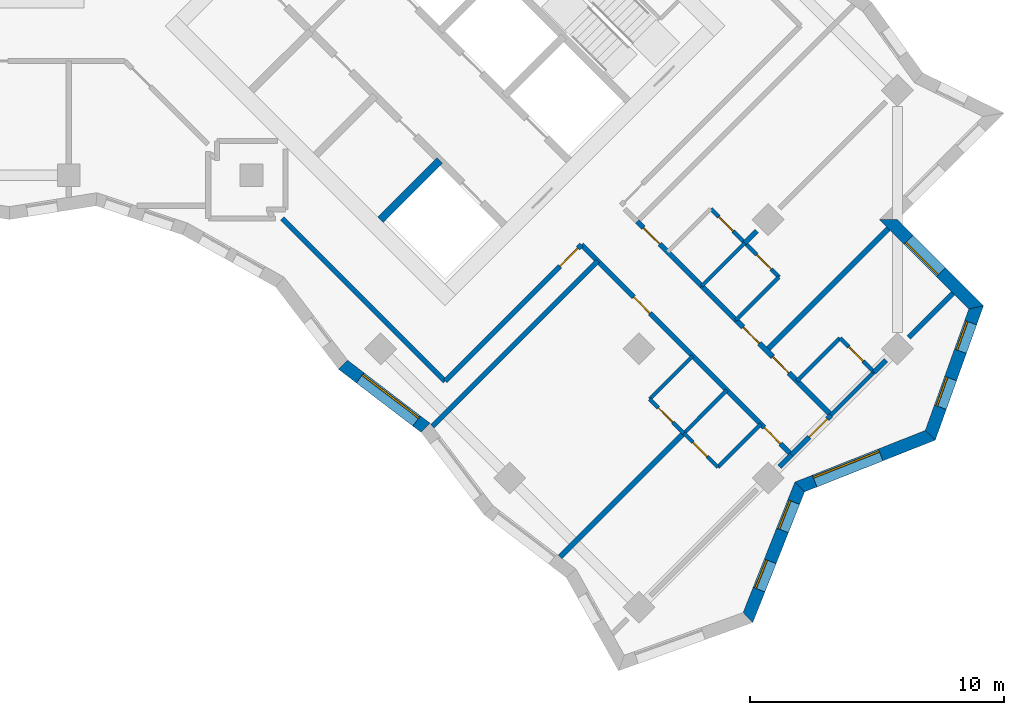
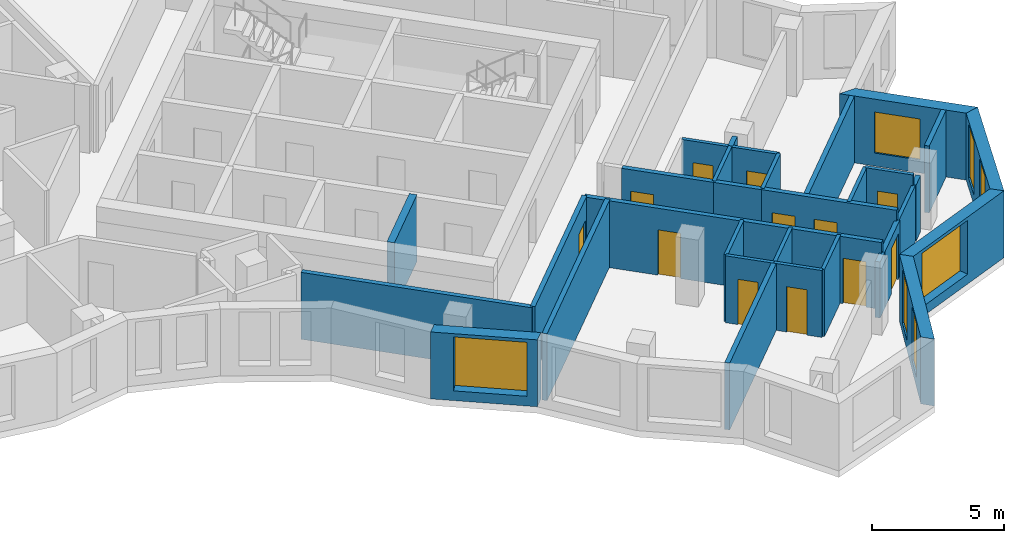
# One storey, part 8 of 12: 31 walls, 12 doors, 7 windows, 19 openings.
"""IFC4 building model written with IfcOpenShell, lengths in metres."""

import ifcopenshell
import ifcopenshell.guid

model = None  # the IFC model being written
_history = None  # IfcOwnerHistory: only IFC2X3 demands one
_inside = {}  # id of a spatial element -> (the spatial element, [elements in it])
_under = {}  # id of a project, library or spatial element -> (it, [spatial elements below it])
_declared = {}  # id of a project -> (the project, [libraries it declares])
_typed = {}  # id of a type object -> (the type object, [elements of that type])
_made_of = {}  # id of a material, layer set ... -> (it, [elements and type objects made of it])


def new_model(schema):
    """Start an empty IFC model of exactly this schema.

    Asked for "IFC4X3", IfcOpenShell would pick the latest addendum, in which some entities
    have other attributes; the version numbers below select the first issue.
    IFC2X3 requires an IfcOwnerHistory on every rooted entity: one is made here for all.
    """
    global model, _history
    if schema == "IFC4X3":
        model = ifcopenshell.file(schema_version=(4, 3, 0, 0))
    else:
        model = ifcopenshell.file(schema=schema)
    _inside.clear()
    _under.clear()
    _declared.clear()
    _typed.clear()
    _made_of.clear()
    _history = None
    if model.schema == "IFC2X3":
        org = make("IfcOrganization", Name="unknown")
        user = make(
            "IfcPersonAndOrganization",
            ThePerson=make("IfcPerson", FamilyName="unknown"),
            TheOrganization=org,
        )
        app = make(
            "IfcApplication",
            ApplicationDeveloper=org,
            Version="unknown",
            ApplicationFullName="unknown",
            ApplicationIdentifier="unknown",
        )
        _history = make(
            "IfcOwnerHistory",
            OwningUser=user,
            OwningApplication=app,
            ChangeAction="ADDED",
            CreationDate=0,
        )
    return model


def make(cls, **values):
    """One entity of the class cls with the attributes given. An attribute that is None is left unset."""
    return model.create_entity(
        cls, **{name: value for name, value in values.items() if value is not None}
    )


def rooted(cls, **values):
    """An entity with a GlobalId (a new one), such as an element, a storey or a relation."""
    return make(cls, GlobalId=ifcopenshell.guid.new(), OwnerHistory=_history, **values)


def si_unit(unit_type, name, prefix=None):
    """IfcSIUnit, for example si_unit("LENGTHUNIT", "METRE", prefix="MILLI")."""
    return make("IfcSIUnit", UnitType=unit_type, Prefix=prefix, Name=name)


def assignment(units):
    """IfcUnitAssignment: the units of a project."""
    return None if units is None else make("IfcUnitAssignment", Units=units)


def point(xyz):
    """IfcCartesianPoint."""
    return None if xyz is None else make("IfcCartesianPoint", Coordinates=xyz)


def direction(xyz):
    """IfcDirection."""
    return None if xyz is None else make("IfcDirection", DirectionRatios=xyz)


def frame(location, z_axis=None, x_axis=None):
    """IfcAxis2Placement3D, a coordinate frame: its origin and axes. An axis left out is left unset."""
    return make(
        "IfcAxis2Placement3D",
        Location=point(location),
        Axis=direction(z_axis),
        RefDirection=direction(x_axis),
    )


def frame_2d(location, x_axis=None):
    """IfcAxis2Placement2D, a coordinate frame in the plane: its origin and x axis."""
    return make(
        "IfcAxis2Placement2D", Location=point(location), RefDirection=direction(x_axis)
    )


def origin():
    """The frame at (0, 0, 0) with its axes left unset."""
    return frame((0.0, 0.0, 0.0))


def place(relative_to, where):
    """IfcLocalPlacement: puts the frame where relative to a parent placement (None: the world)."""
    return make(
        "IfcLocalPlacement", PlacementRelTo=relative_to, RelativePlacement=where
    )


def context(
    kind, dimensions, precision=None, world=None, true_north=None, identifier=None
):
    """IfcGeometricRepresentationContext, for example the 3D "Model" context."""
    return make(
        "IfcGeometricRepresentationContext",
        ContextIdentifier=identifier,
        ContextType=kind,
        CoordinateSpaceDimension=dimensions,
        Precision=precision,
        WorldCoordinateSystem=world,
        TrueNorth=true_north,
    )


def subcontext(parent, identifier, kind, view, scale=None):
    """IfcGeometricRepresentationSubContext, for example "Body" below "Model"."""
    return make(
        "IfcGeometricRepresentationSubContext",
        ContextIdentifier=identifier,
        ContextType=kind,
        ParentContext=parent,
        TargetScale=scale,
        TargetView=view,
    )


def project(units=None, contexts=None):
    """IfcProject with its units and contexts."""
    return rooted(
        "IfcProject",
        Name="project",
        RepresentationContexts=contexts,
        UnitsInContext=assignment(units),
    )


def spatial(cls, under=None, at=None, **own):
    """A site, building, storey or space (cls), placed at a placement, below another one or the project."""
    s = rooted(cls, ObjectPlacement=at, **own)
    if under is not None:
        _under.setdefault(under.id(), (under, []))[1].append(s)
    return s


def polyline(points):
    """IfcPolyline through the points."""
    return make("IfcPolyline", Points=[point(p) for p in points])


def profile(cls, at=None, kind="AREA", **sizes):
    """A parametric profile (cls). Its sizes go by their IFC names, for example OverallWidth=200.0."""
    return make(cls, ProfileType=kind, Position=at, **sizes)


def rectangle(**sizes):
    """IfcRectangleProfileDef."""
    return profile("IfcRectangleProfileDef", **sizes)


def outline(outer, holes=None, kind="AREA"):
    """IfcArbitraryClosedProfileDef: a profile drawn as a closed curve; with holes, ...WithVoids."""
    if holes is None:
        return make("IfcArbitraryClosedProfileDef", ProfileType=kind, OuterCurve=outer)
    return make(
        "IfcArbitraryProfileDefWithVoids",
        ProfileType=kind,
        OuterCurve=outer,
        InnerCurves=holes,
    )


def extrude(swept, where, along, depth):
    """IfcExtrudedAreaSolid: the profile swept, set in the frame where, extruded along a direction by depth."""
    return make(
        "IfcExtrudedAreaSolid",
        SweptArea=swept,
        Position=where,
        ExtrudedDirection=direction(along),
        Depth=depth,
    )


def shape(context_of_items, identifier, shape_type, items):
    """IfcShapeRepresentation: the items that make up one representation, for example the "Body"."""
    return make(
        "IfcShapeRepresentation",
        ContextOfItems=context_of_items,
        RepresentationIdentifier=identifier,
        RepresentationType=shape_type,
        Items=items,
    )


def material(Name=None, Category=None):
    """IfcMaterial."""
    return make("IfcMaterial", Name=Name, Category=Category)


def layer(
    of_material, thickness, ventilated=None, Name=None, Category=None, Priority=None
):
    """IfcMaterialLayer: one layer of a wall or slab, of a material (None: an air gap)."""
    return make(
        "IfcMaterialLayer",
        Material=of_material,
        LayerThickness=thickness,
        IsVentilated=ventilated,
        Name=Name,
        Category=Category,
        Priority=Priority,
    )


def layer_set(layers, Name=None):
    """IfcMaterialLayerSet."""
    return make("IfcMaterialLayerSet", MaterialLayers=layers, LayerSetName=Name)


def made_of(thing, what):
    """Note that an element or type object is made of a material, layer set ...; save() writes the relation."""
    if what is not None:
        _made_of.setdefault(what.id(), (what, []))[1].append(thing)
    return thing


def type_object(cls, material=None, **own):
    """A type object (cls), such as IfcWallType, which elements share."""
    return made_of(rooted(cls, **own), material)


def element(
    cls,
    number,
    at=None,
    inside=None,
    cuts=None,
    type_object=None,
    material=None,
    context=None,
    identifier="Body",
    shape_type=None,
    held_by="IfcProductDefinitionShape",
    body=None,
    shapes=None,
    **own,
):
    """One element of the class cls, such as IfcWall. Its Tag is "e" and its number.

    at: its placement. inside: the storey or other place that contains it. cuts: it is an
    opening in that element (IfcRelVoidsElement). A single representation is given by context,
    identifier, shape_type and body (its items); several are given by shapes. held_by: the class
    of the entity that holds the representations. save() writes the other relations.
    """
    e = rooted(cls, Tag="e%d" % number, ObjectPlacement=at, **own)
    if body is not None:
        shapes = [shape(context, identifier, shape_type, body)]
    if shapes is not None:
        e.Representation = make(held_by, Representations=shapes)
    if inside is not None:
        _inside.setdefault(inside.id(), (inside, []))[1].append(e)
    if cuts is not None:
        rooted(
            "IfcRelVoidsElement", RelatingBuildingElement=cuts, RelatedOpeningElement=e
        )
    if type_object is not None:
        _typed.setdefault(type_object.id(), (type_object, []))[1].append(e)
    return made_of(e, material)


def fill(opening, filler):
    """IfcRelFillsElement: the door or window that sits in an opening."""
    return rooted(
        "IfcRelFillsElement",
        RelatingOpeningElement=opening,
        RelatedBuildingElement=filler,
    )


def aggregate(whole, parts):
    """IfcRelAggregates: a whole, such as a stair, and the parts it consists of."""
    return rooted("IfcRelAggregates", RelatingObject=whole, RelatedObjects=parts)


def save(model, path):
    """Write the relations noted so far, then the file.

    IfcRelAggregates (storeys below a building ...), IfcRelContainedInSpatialStructure (elements
    in a storey), IfcRelDefinesByType, IfcRelAssociatesMaterial and IfcRelDeclares: one each for
    every whole, place, type object, material and project.
    """
    for whole, parts in _under.values():
        aggregate(whole, parts)
    for where, things in _inside.values():
        rooted(
            "IfcRelContainedInSpatialStructure",
            RelatedElements=things,
            RelatingStructure=where,
        )
    for kind, things in _typed.values():
        rooted("IfcRelDefinesByType", RelatedObjects=things, RelatingType=kind)
    for what, things in _made_of.values():
        rooted("IfcRelAssociatesMaterial", RelatedObjects=things, RelatingMaterial=what)
    for by, libraries in _declared.values():
        rooted("IfcRelDeclares", RelatingContext=by, RelatedDefinitions=libraries)
    model.write(path)


model = new_model("IFC4")

# Units and contexts
model_context = context("Model", 3, precision=1e-05, world=origin(), true_north=direction((0.0, 1.0)))
body_context = subcontext(model_context, "Body", "Model", "MODEL_VIEW")
ifc_project = project(units=[si_unit("LENGTHUNIT", "METRE"), si_unit("AREAUNIT", "SQUARE_METRE"), si_unit("VOLUMEUNIT", "CUBIC_METRE"), si_unit("PLANEANGLEUNIT", "RADIAN"), si_unit("MASSUNIT", "GRAM", prefix="KILO")], contexts=[model_context])

# Site, building, storey
site_placement = place(None, origin())
site = spatial("IfcSite", under=ifc_project, at=site_placement, CompositionType="ELEMENT")
building_placement = place(site_placement, origin())
building = spatial("IfcBuilding", under=site, at=building_placement, Name="Windrow Commons", CompositionType="ELEMENT")
storey_placement = place(building_placement, frame((0.0, 0.0, 162.6)))
storey = spatial("IfcBuildingStorey", under=building, at=storey_placement, Name="L44", CompositionType="ELEMENT", Elevation=162.6)

# Wall, openings, windows
ifc_material_1 = material(Name="Brick masonry, red clay brick", Category="masonry")
ifc_layer_1 = layer(ifc_material_1, 0.5)
ifc_layer_set_1 = layer_set([ifc_layer_1], Name="Brick facade wall 500")
wall_type_1 = type_object("IfcWallType", Name="Brick facade wall 500", PredefinedType="SOLIDWALL", material=ifc_layer_set_1)
wall_1_placement = place(storey_placement, frame((98.7682, 25.771, 0.0), z_axis=(0.0, 0.0, 1.0), x_axis=(0.3682368161, 0.9297320298, 0.0)))
wall_1 = element("IfcWall", 1, at=wall_1_placement, inside=storey, type_object=wall_type_1, Name="Brick facade wall L44 2", PredefinedType="SOLIDWALL", context=body_context, shape_type="SweptSolid", body=[
    extrude(outline(polyline([(-0.113, -0.25), (5.428, -0.25), (5.6443, 0.25), (0.113, 0.25), (-0.113, -0.25)])), origin(), (0.0, 0.0, 1.0), 3.1),
])
opening_1_placement = place(wall_1_placement, frame((1.1855, 0.0, 0.45)))
opening_1 = element("IfcOpeningElement", 2, at=opening_1_placement, cuts=wall_1, Name="Opening W7E", PredefinedType="OPENING", context=body_context, shape_type="SweptSolid", body=[
    extrude(rectangle(XDim=1.2, YDim=2.5, at=frame_2d((0.6, 1.25))), frame((0.0, 0.26, 0.0), z_axis=(0.0, -1.0, 0.0), x_axis=(1.0, 0.0, 0.0)), (0.0, 0.0, 1.0), 0.52),
])
opening_2_placement = place(wall_1_placement, frame((3.697, 0.0, 0.45)))
opening_2 = element("IfcOpeningElement", 3, at=opening_2_placement, cuts=wall_1, Name="Opening W7E", PredefinedType="OPENING", context=body_context, shape_type="SweptSolid", body=[
    extrude(rectangle(XDim=1.2, YDim=2.5, at=frame_2d((0.6, 1.25))), frame((0.0, 0.26, 0.0), z_axis=(0.0, -1.0, 0.0), x_axis=(1.0, 0.0, 0.0)), (0.0, 0.0, 1.0), 0.52),
])
ifc_material_2 = material(Name="Clear float glass in anodised aluminium frame", Category="aluminium")
window_type_1 = type_object("IfcWindowType", Name="Window W7 notch 1200x2500", PartitioningType="SINGLE_PANEL", PredefinedType="WINDOW", material=ifc_material_2)
window_1_placement = place(opening_1_placement, origin())
window_1 = element("IfcWindow", 4, at=window_1_placement, inside=storey, type_object=window_type_1, Name="Window L44 2.1", OverallHeight=2.5, OverallWidth=1.2, PartitioningType="SINGLE_PANEL", PredefinedType="WINDOW", context=body_context, shape_type="SweptSolid", body=[
    extrude(rectangle(XDim=1.2, YDim=2.5, at=frame_2d((0.6, 1.25))), frame((0.0, 0.18, 0.0), z_axis=(0.0, -1.0, 0.0), x_axis=(1.0, 0.0, 0.0)), (0.0, 0.0, 1.0), 0.06),
])
fill(opening_1, window_1)
window_2_placement = place(opening_2_placement, origin())
window_2 = element("IfcWindow", 5, at=window_2_placement, inside=storey, type_object=window_type_1, Name="Window L44 2.2", OverallHeight=2.5, OverallWidth=1.2, PartitioningType="SINGLE_PANEL", PredefinedType="WINDOW", context=body_context, shape_type="SweptSolid", body=[
    extrude(rectangle(XDim=1.2, YDim=2.5, at=frame_2d((0.6, 1.25))), frame((0.0, 0.18, 0.0), z_axis=(0.0, -1.0, 0.0), x_axis=(1.0, 0.0, 0.0)), (0.0, 0.0, 1.0), 0.06),
])
fill(opening_2, window_2)

# Wall, opening, window
wall_2_placement = place(storey_placement, frame((100.8068, 30.9181, 0.0), z_axis=(0.0, 0.0, 1.0), x_axis=(0.9297320298, 0.3682368161, 0.0)))
wall_2 = element("IfcWall", 6, at=wall_2_placement, inside=storey, type_object=wall_type_1, Name="Brick facade wall L44 3", PredefinedType="SOLIDWALL", context=body_context, shape_type="SweptSolid", body=[
    extrude(outline(polyline([(0.1082, -0.25), (5.6491, -0.25), (5.4231, 0.25), (-0.1082, 0.25), (0.1082, -0.25)])), origin(), (0.0, 0.0, 1.0), 3.1),
])
opening_3_placement = place(wall_2_placement, frame((0.6324, 0.0, 0.45)))
opening_3 = element("IfcOpeningElement", 7, at=opening_3_placement, cuts=wall_2, Name="Opening W1U", PredefinedType="OPENING", context=body_context, shape_type="SweptSolid", body=[
    extrude(rectangle(XDim=2.8, YDim=2.5, at=frame_2d((1.4, 1.25))), frame((0.0, 0.26, 0.0), z_axis=(0.0, -1.0, 0.0), x_axis=(1.0, 0.0, 0.0)), (0.0, 0.0, 1.0), 0.52),
])
ifc_material_3 = material(Name="Clear float glass in anodised aluminium frame", Category="aluminium")
window_type_2 = type_object("IfcWindowType", Name="Window W1U bedroom 2800x2500", PartitioningType="SINGLE_PANEL", PredefinedType="WINDOW", material=ifc_material_3)
window_3_placement = place(opening_3_placement, origin())
window_3 = element("IfcWindow", 8, at=window_3_placement, inside=storey, type_object=window_type_2, Name="Window L44 3.1", OverallHeight=2.5, OverallWidth=2.8, PartitioningType="SINGLE_PANEL", PredefinedType="WINDOW", context=body_context, shape_type="SweptSolid", body=[
    extrude(rectangle(XDim=2.8, YDim=2.5, at=frame_2d((1.4, 1.25))), frame((0.0, 0.18, 0.0), z_axis=(0.0, -1.0, 0.0), x_axis=(1.0, 0.0, 0.0)), (0.0, 0.0, 1.0), 0.06),
])
fill(opening_3, window_3)

# Wall, openings, windows
wall_3_placement = place(storey_placement, frame((105.9539, 32.9567, 0.0), z_axis=(0.0, 0.0, 1.0), x_axis=(0.3376937102, 0.9412560534, 0.0)))
wall_3 = element("IfcWall", 9, at=wall_3_placement, inside=storey, type_object=wall_type_1, Name="Brick facade wall L44 4", PredefinedType="SOLIDWALL", context=body_context, shape_type="SweptSolid", body=[
    extrude(outline(polyline([(-0.113, -0.25), (5.5104, -0.25), (5.1934, 0.25), (0.113, 0.25), (-0.113, -0.25)])), origin(), (0.0, 0.0, 1.0), 3.1),
])
opening_4_placement = place(wall_3_placement, frame((1.1732, 0.0, 0.45)))
opening_4 = element("IfcOpeningElement", 10, at=opening_4_placement, cuts=wall_3, Name="Opening W7E", PredefinedType="OPENING", context=body_context, shape_type="SweptSolid", body=[
    extrude(rectangle(XDim=1.2, YDim=2.5, at=frame_2d((0.6, 1.25))), frame((0.0, 0.26, 0.0), z_axis=(0.0, -1.0, 0.0), x_axis=(1.0, 0.0, 0.0)), (0.0, 0.0, 1.0), 0.52),
])
opening_5_placement = place(wall_3_placement, frame((3.5134, 0.0, 0.45)))
opening_5 = element("IfcOpeningElement", 11, at=opening_5_placement, cuts=wall_3, Name="Opening W7E", PredefinedType="OPENING", context=body_context, shape_type="SweptSolid", body=[
    extrude(rectangle(XDim=1.2, YDim=2.5, at=frame_2d((0.6, 1.25))), frame((0.0, 0.26, 0.0), z_axis=(0.0, -1.0, 0.0), x_axis=(1.0, 0.0, 0.0)), (0.0, 0.0, 1.0), 0.52),
])
window_4_placement = place(opening_4_placement, origin())
window_4 = element("IfcWindow", 12, at=window_4_placement, inside=storey, type_object=window_type_1, Name="Window L44 4.1", OverallHeight=2.5, OverallWidth=1.2, PartitioningType="SINGLE_PANEL", PredefinedType="WINDOW", context=body_context, shape_type="SweptSolid", body=[
    extrude(rectangle(XDim=1.2, YDim=2.5, at=frame_2d((0.6, 1.25))), frame((0.0, 0.18, 0.0), z_axis=(0.0, -1.0, 0.0), x_axis=(1.0, 0.0, 0.0)), (0.0, 0.0, 1.0), 0.06),
])
fill(opening_4, window_4)
window_5_placement = place(opening_5_placement, origin())
window_5 = element("IfcWindow", 13, at=window_5_placement, inside=storey, type_object=window_type_1, Name="Window L44 4.2", OverallHeight=2.5, OverallWidth=1.2, PartitioningType="SINGLE_PANEL", PredefinedType="WINDOW", context=body_context, shape_type="SweptSolid", body=[
    extrude(rectangle(XDim=1.2, YDim=2.5, at=frame_2d((0.6, 1.25))), frame((0.0, 0.18, 0.0), z_axis=(0.0, -1.0, 0.0), x_axis=(1.0, 0.0, 0.0)), (0.0, 0.0, 1.0), 0.06),
])
fill(opening_5, window_5)

# Wall, opening, window
wall_4_placement = place(storey_placement, frame((107.7612, 37.9942, 0.0), z_axis=(0.0, 0.0, 1.0), x_axis=(-0.707127224, 0.7070863378, 0.0)))
wall_4 = element("IfcWall", 14, at=wall_4_placement, inside=storey, type_object=wall_type_1, Name="Brick facade wall L44 5", PredefinedType="SOLIDWALL", context=body_context, shape_type="SweptSolid", body=[
    extrude(outline(polyline([(-0.1585, -0.25), (4.6416, -0.25), (5.1416, 0.25), (0.1585, 0.25), (-0.1585, -0.25)])), origin(), (0.0, 0.0, 1.0), 3.1),
])
opening_6_placement = place(wall_4_placement, frame((1.9666, 0.0, 0.6)))
opening_6 = element("IfcOpeningElement", 15, at=opening_6_placement, cuts=wall_4, Name="Opening W1L", PredefinedType="OPENING", context=body_context, shape_type="SweptSolid", body=[
    extrude(rectangle(XDim=1.8, YDim=1.9, at=frame_2d((0.9, 0.95))), frame((0.0, 0.26, 0.0), z_axis=(0.0, -1.0, 0.0), x_axis=(1.0, 0.0, 0.0)), (0.0, 0.0, 1.0), 0.52),
])
ifc_material_4 = material(Name="Clear float glass in anodised aluminium frame", Category="aluminium")
window_type_3 = type_object("IfcWindowType", Name="Window W1L bedroom 1800x1900", PartitioningType="SINGLE_PANEL", PredefinedType="WINDOW", material=ifc_material_4)
window_6_placement = place(opening_6_placement, origin())
window_6 = element("IfcWindow", 16, at=window_6_placement, inside=storey, type_object=window_type_3, Name="Window L44 5.1", OverallHeight=1.9, OverallWidth=1.8, PartitioningType="SINGLE_PANEL", PredefinedType="WINDOW", context=body_context, shape_type="SweptSolid", body=[
    extrude(rectangle(XDim=1.8, YDim=1.9, at=frame_2d((0.9, 0.95))), frame((0.0, 0.18, 0.0), z_axis=(0.0, -1.0, 0.0), x_axis=(1.0, 0.0, 0.0)), (0.0, 0.0, 1.0), 0.06),
])
fill(opening_6, window_6)

wall_5_placement = place(storey_placement, frame((82.8132, 35.7329, 0.0), z_axis=(0.0, 0.0, 1.0), x_axis=(0.7946501833, -0.6070676125, 0.0)))
wall_5 = element("IfcWall", 17, at=wall_5_placement, inside=storey, type_object=wall_type_1, Name="Brick facade wall L44 52", PredefinedType="SOLIDWALL", context=body_context, shape_type="SweptSolid", body=[
    extrude(outline(polyline([(-0.0335, -0.25), (4.0527, -0.25), (4.1197, 0.25), (0.0335, 0.25), (-0.0335, -0.25)])), origin(), (0.0, 0.0, 1.0), 3.1),
])
opening_7_placement = place(wall_5_placement, frame((0.846, 0.0, 0.45)))
opening_7 = element("IfcOpeningElement", 18, at=opening_7_placement, cuts=wall_5, Name="Opening W1U", PredefinedType="OPENING", context=body_context, shape_type="SweptSolid", body=[
    extrude(rectangle(XDim=2.8, YDim=2.5, at=frame_2d((1.4, 1.25))), frame((0.0, 0.26, 0.0), z_axis=(0.0, -1.0, 0.0), x_axis=(1.0, 0.0, 0.0)), (0.0, 0.0, 1.0), 0.52),
])
window_7_placement = place(opening_7_placement, origin())
window_7 = element("IfcWindow", 19, at=window_7_placement, inside=storey, type_object=window_type_2, Name="Window L44 52.1", OverallHeight=2.5, OverallWidth=2.8, PartitioningType="SINGLE_PANEL", PredefinedType="WINDOW", context=body_context, shape_type="SweptSolid", body=[
    extrude(rectangle(XDim=2.8, YDim=2.5, at=frame_2d((1.4, 1.25))), frame((0.0, 0.18, 0.0), z_axis=(0.0, -1.0, 0.0), x_axis=(1.0, 0.0, 0.0)), (0.0, 0.0, 1.0), 0.06),
])
fill(opening_7, window_7)

# Wall, openings, doors
ifc_material_5 = material(Name="Blockwork partition", Category="masonry")
ifc_layer_2 = layer(ifc_material_5, 0.2)
ifc_layer_set_2 = layer_set([ifc_layer_2], Name="IW-CORRIDOR-200")
wall_type_2 = type_object("IfcWallType", Name="IW-CORRIDOR-200", PredefinedType="PARTITIONING", material=ifc_layer_set_2)
wall_6_placement = place(storey_placement, frame((92.2087, 40.4587, 0.0), z_axis=(0.0, 0.0, 1.0), x_axis=(0.7071067812, -0.7071067812, 0.0)))
wall_6 = element("IfcWall", 20, at=wall_6_placement, inside=storey, type_object=wall_type_2, Name="W-L44-W009", PredefinedType="PARTITIONING", context=body_context, shape_type="SweptSolid", body=[
    extrude(rectangle(XDim=11.6984, YDim=0.2, at=frame_2d((5.8492, 0.0))), origin(), (0.0, 0.0, 1.0), 3.1),
])
opening_8_placement = place(wall_6_placement, frame((2.9079, 0.0, 0.0)))
opening_8 = element("IfcOpeningElement", 21, at=opening_8_placement, cuts=wall_6, Name="Opening D109F", PredefinedType="OPENING", context=body_context, shape_type="SweptSolid", body=[
    extrude(rectangle(XDim=0.9, YDim=2.1, at=frame_2d((0.45, 1.05))), frame((0.0, 0.11, 0.0), z_axis=(0.0, -1.0, 0.0), x_axis=(1.0, 0.0, 0.0)), (0.0, 0.0, 1.0), 0.22),
])
opening_9_placement = place(wall_6_placement, frame((10.1809, 0.0, 0.0)))
opening_9 = element("IfcOpeningElement", 22, at=opening_9_placement, cuts=wall_6, Name="Opening D109S", PredefinedType="OPENING", context=body_context, shape_type="SweptSolid", body=[
    extrude(rectangle(XDim=0.9, YDim=2.1, at=frame_2d((0.45, 1.05))), frame((0.0, 0.11, 0.0), z_axis=(0.0, -1.0, 0.0), x_axis=(1.0, 0.0, 0.0)), (0.0, 0.0, 1.0), 0.22),
])
ifc_material_6 = material(Name="Timber door leaf", Category="wood")
door_type_1 = type_object("IfcDoorType", Name="DT-BEDROOM-900", OperationType="SINGLE_SWING_LEFT", PredefinedType="DOOR", material=ifc_material_6)
door_1_placement = place(opening_8_placement, origin())
door_1 = element("IfcDoor", 23, at=door_1_placement, inside=storey, type_object=door_type_1, Name="D-L44-D047", OperationType="SINGLE_SWING_LEFT", OverallHeight=2.1, OverallWidth=0.9, PredefinedType="DOOR", context=body_context, shape_type="SweptSolid", body=[
    extrude(rectangle(XDim=0.9, YDim=2.1, at=frame_2d((0.45, 1.05))), frame((0.0, 0.025, 0.0), z_axis=(0.0, -1.0, 0.0), x_axis=(1.0, 0.0, 0.0)), (0.0, 0.0, 1.0), 0.05),
])
fill(opening_8, door_1)
door_2_placement = place(opening_9_placement, origin())
door_2 = element("IfcDoor", 24, at=door_2_placement, inside=storey, type_object=door_type_1, Name="D-L44-D049", OperationType="SINGLE_SWING_LEFT", OverallHeight=2.1, OverallWidth=0.9, PredefinedType="DOOR", context=body_context, shape_type="SweptSolid", body=[
    extrude(rectangle(XDim=0.9, YDim=2.1, at=frame_2d((0.45, 1.05))), frame((0.0, 0.025, 0.0), z_axis=(0.0, -1.0, 0.0), x_axis=(1.0, 0.0, 0.0)), (0.0, 0.0, 1.0), 0.05),
])
fill(opening_9, door_2)

# Wall
wall_7_placement = place(storey_placement, frame((80.4227, 41.4967, 0.0), z_axis=(0.0, 0.0, 1.0), x_axis=(0.7071067812, -0.7071067812, 0.0)))
element("IfcWall", 25, at=wall_7_placement, inside=storey, type_object=wall_type_2, Name="W-L44-W015", PredefinedType="PARTITIONING", context=body_context, shape_type="SweptSolid", body=[
    extrude(rectangle(XDim=9.0651, YDim=0.2, at=frame_2d((4.5325, 0.0))), origin(), (0.0, 0.0, 1.0), 3.1),
])

# Wall, opening, door
wall_8_placement = place(storey_placement, frame((86.837, 35.091, 0.0), z_axis=(0.0, 0.0, 1.0), x_axis=(0.7071067812, 0.7071067812, 0.0)))
wall_8 = element("IfcWall", 26, at=wall_8_placement, inside=storey, type_object=wall_type_2, Name="W-L44-W016", PredefinedType="PARTITIONING", context=body_context, shape_type="SweptSolid", body=[
    extrude(rectangle(XDim=7.5972, YDim=0.2, at=frame_2d((3.7986, 0.0))), origin(), (0.0, 0.0, 1.0), 3.1),
])
opening_10_placement = place(wall_8_placement, frame((6.3951, 0.0, 0.0)))
opening_10 = element("IfcOpeningElement", 27, at=opening_10_placement, cuts=wall_8, Name="Opening D310F", PredefinedType="OPENING", context=body_context, shape_type="SweptSolid", body=[
    extrude(rectangle(XDim=1.0, YDim=2.1, at=frame_2d((0.5, 1.05))), frame((0.0, 0.11, 0.0), z_axis=(0.0, -1.0, 0.0), x_axis=(1.0, 0.0, 0.0)), (0.0, 0.0, 1.0), 0.22),
])
ifc_material_7 = material(Name="Timber door leaf", Category="wood")
door_type_2 = type_object("IfcDoorType", Name="DT-AMENITY-1000", OperationType="SINGLE_SWING_LEFT", PredefinedType="DOOR", material=ifc_material_7)
door_3_placement = place(opening_10_placement, origin())
door_3 = element("IfcDoor", 28, at=door_3_placement, inside=storey, type_object=door_type_2, Name="D-L44-D046", OperationType="SINGLE_SWING_LEFT", OverallHeight=2.1, OverallWidth=1.0, PredefinedType="DOOR", context=body_context, shape_type="SweptSolid", body=[
    extrude(rectangle(XDim=1.0, YDim=2.1, at=frame_2d((0.5, 1.05))), frame((0.0, 0.025, 0.0), z_axis=(0.0, -1.0, 0.0), x_axis=(1.0, 0.0, 0.0)), (0.0, 0.0, 1.0), 0.05),
])
fill(opening_10, door_3)

# Wall, openings, doors
wall_9_placement = place(storey_placement, frame((98.2954, 37.4974, 0.0), z_axis=(0.0, 0.0, 1.0), x_axis=(0.7071067812, -0.7071067812, 0.0)))
wall_9 = element("IfcWall", 29, at=wall_9_placement, inside=storey, type_object=wall_type_2, Name="W-L44-W030", PredefinedType="PARTITIONING", context=body_context, shape_type="SweptSolid", body=[
    extrude(rectangle(XDim=5.3005, YDim=0.2, at=frame_2d((2.6503, 0.0))), origin(), (0.0, 0.0, 1.0), 3.1),
])
opening_11_placement = place(wall_9_placement, frame((0.4005, 0.0, 0.0)))
opening_11 = element("IfcOpeningElement", 30, at=opening_11_placement, cuts=wall_9, Name="Opening D109S", PredefinedType="OPENING", context=body_context, shape_type="SweptSolid", body=[
    extrude(rectangle(XDim=0.9, YDim=2.1, at=frame_2d((0.45, 1.05))), frame((0.0, 0.11, 0.0), z_axis=(0.0, -1.0, 0.0), x_axis=(1.0, 0.0, 0.0)), (0.0, 0.0, 1.0), 0.22),
])
opening_12_placement = place(wall_9_placement, frame((2.0505, 0.0, 0.0)))
opening_12 = element("IfcOpeningElement", 31, at=opening_12_placement, cuts=wall_9, Name="Opening D109S", PredefinedType="OPENING", context=body_context, shape_type="SweptSolid", body=[
    extrude(rectangle(XDim=0.9, YDim=2.1, at=frame_2d((0.45, 1.05))), frame((0.0, 0.11, 0.0), z_axis=(0.0, -1.0, 0.0), x_axis=(1.0, 0.0, 0.0)), (0.0, 0.0, 1.0), 0.22),
])
door_4_placement = place(opening_11_placement, origin())
door_4 = element("IfcDoor", 32, at=door_4_placement, inside=storey, type_object=door_type_1, Name="D-L44-D051", OperationType="SINGLE_SWING_LEFT", OverallHeight=2.1, OverallWidth=0.9, PredefinedType="DOOR", context=body_context, shape_type="SweptSolid", body=[
    extrude(rectangle(XDim=0.9, YDim=2.1, at=frame_2d((0.45, 1.05))), frame((0.0, 0.025, 0.0), z_axis=(0.0, -1.0, 0.0), x_axis=(1.0, 0.0, 0.0)), (0.0, 0.0, 1.0), 0.05),
])
fill(opening_11, door_4)
door_5_placement = place(opening_12_placement, origin())
door_5 = element("IfcDoor", 33, at=door_5_placement, inside=storey, type_object=door_type_1, Name="D-L44-D053", OperationType="SINGLE_SWING_RIGHT", OverallHeight=2.1, OverallWidth=0.9, PredefinedType="DOOR", context=body_context, shape_type="SweptSolid", body=[
    extrude(rectangle(XDim=0.9, YDim=2.1, at=frame_2d((0.45, 1.05))), frame((0.0, 0.025, 0.0), z_axis=(0.0, -1.0, 0.0), x_axis=(1.0, 0.0, 0.0)), (0.0, 0.0, 1.0), 0.05),
])
fill(opening_12, door_5)

# Wall, opening, door
wall_10_placement = place(storey_placement, frame((94.3993, 41.3793, 0.0), z_axis=(0.0, 0.0, 1.0), x_axis=(0.7071067812, -0.7071067812, 0.0)))
wall_10 = element("IfcWall", 34, at=wall_10_placement, inside=storey, type_object=wall_type_2, Name="W-L44-W046", PredefinedType="PARTITIONING", context=body_context, shape_type="SweptSolid", body=[
    extrude(rectangle(XDim=3.6006, YDim=0.2, at=frame_2d((1.8003, 0.0))), origin(), (0.0, 0.0, 1.0), 3.1),
])
opening_13_placement = place(wall_10_placement, frame((0.3504, 0.0, 0.0)))
opening_13 = element("IfcOpeningElement", 35, at=opening_13_placement, cuts=wall_10, Name="Opening D109S", PredefinedType="OPENING", context=body_context, shape_type="SweptSolid", body=[
    extrude(rectangle(XDim=0.9, YDim=2.1, at=frame_2d((0.45, 1.05))), frame((0.0, 0.11, 0.0), z_axis=(0.0, -1.0, 0.0), x_axis=(1.0, 0.0, 0.0)), (0.0, 0.0, 1.0), 0.22),
])
door_6_placement = place(opening_13_placement, origin())
door_6 = element("IfcDoor", 36, at=door_6_placement, inside=storey, type_object=door_type_1, Name="D-L44-D042", OperationType="SINGLE_SWING_RIGHT", OverallHeight=2.1, OverallWidth=0.9, PredefinedType="DOOR", context=body_context, shape_type="SweptSolid", body=[
    extrude(rectangle(XDim=0.9, YDim=2.1, at=frame_2d((0.45, 1.05))), frame((0.0, 0.025, 0.0), z_axis=(0.0, -1.0, 0.0), x_axis=(1.0, 0.0, 0.0)), (0.0, 0.0, 1.0), 0.05),
])
fill(opening_13, door_6)

wall_11_placement = place(storey_placement, frame((100.4832, 32.1908, 0.0), z_axis=(0.0, 0.0, 1.0), x_axis=(0.7071067812, 0.7071067812, 0.0)))
wall_11 = element("IfcWall", 37, at=wall_11_placement, inside=storey, type_object=wall_type_2, Name="W-L44-W106", PredefinedType="PARTITIONING", context=body_context, shape_type="SweptSolid", body=[
    extrude(rectangle(XDim=2.2005, YDim=0.2, at=frame_2d((1.1002, 0.0))), origin(), (0.0, 0.0, 1.0), 2.6),
])
opening_14_placement = place(wall_11_placement, frame((0.9865, 0.0, 0.0)))
opening_14 = element("IfcOpeningElement", 38, at=opening_14_placement, cuts=wall_11, Name="Opening D310F", PredefinedType="OPENING", context=body_context, shape_type="SweptSolid", body=[
    extrude(rectangle(XDim=1.0, YDim=2.1, at=frame_2d((0.5, 1.05))), frame((0.0, 0.11, 0.0), z_axis=(0.0, -1.0, 0.0), x_axis=(1.0, 0.0, 0.0)), (0.0, 0.0, 1.0), 0.22),
])
door_7_placement = place(opening_14_placement, origin())
door_7 = element("IfcDoor", 39, at=door_7_placement, inside=storey, type_object=door_type_2, Name="D-L44-D055", OperationType="SINGLE_SWING_RIGHT", OverallHeight=2.1, OverallWidth=1.0, PredefinedType="DOOR", context=body_context, shape_type="SweptSolid", body=[
    extrude(rectangle(XDim=1.0, YDim=2.1, at=frame_2d((0.5, 1.05))), frame((0.0, 0.025, 0.0), z_axis=(0.0, -1.0, 0.0), x_axis=(1.0, 0.0, 0.0)), (0.0, 0.0, 1.0), 0.05),
])
fill(opening_14, door_7)

# Wall
wall_12_placement = place(storey_placement, frame((96.9458, 38.8338, 0.0), z_axis=(0.0, 0.0, 1.0), x_axis=(0.7076330979, -0.7065800724, 0.0)))
element("IfcWall", 40, at=wall_12_placement, inside=storey, type_object=wall_type_2, Name="W-L44-W126", PredefinedType="PARTITIONING", context=body_context, shape_type="SweptSolid", body=[
    extrude(rectangle(XDim=1.8993, YDim=0.2, at=frame_2d((0.9496, 0.0))), origin(), (0.0, 0.0, 1.0), 3.1),
])

# Wall, openings, doors
ifc_material_8 = material(Name="Blockwork partition", Category="masonry")
ifc_layer_3 = layer(ifc_material_8, 0.15)
ifc_layer_set_3 = layer_set([ifc_layer_3], Name="IW-ENSUITE-150")
wall_type_3 = type_object("IfcWallType", Name="IW-ENSUITE-150", PredefinedType="PARTITIONING", material=ifc_layer_set_3)
wall_13_placement = place(storey_placement, frame((97.3054, 41.8814, 0.0), z_axis=(0.0, 0.0, 1.0), x_axis=(0.7067382634, -0.707475107, 0.0)))
wall_13 = element("IfcWall", 41, at=wall_13_placement, inside=storey, type_object=wall_type_3, Name="W-L44-W045", PredefinedType="PARTITIONING", context=body_context, shape_type="SweptSolid", body=[
    extrude(rectangle(XDim=3.8, YDim=0.15, at=frame_2d((1.9, 0.0))), origin(), (0.0, 0.0, 1.0), 3.1),
])
opening_15_placement = place(wall_13_placement, frame((0.4454, 0.0, 0.0)))
opening_15 = element("IfcOpeningElement", 42, at=opening_15_placement, cuts=wall_13, Name="Opening D208N", PredefinedType="OPENING", context=body_context, shape_type="SweptSolid", body=[
    extrude(rectangle(XDim=0.8, YDim=2.1, at=frame_2d((0.4, 1.05))), frame((0.0, 0.085, 0.0), z_axis=(0.0, -1.0, 0.0), x_axis=(1.0, 0.0, 0.0)), (0.0, 0.0, 1.0), 0.17),
])
opening_16_placement = place(wall_13_placement, frame((2.5556, 0.0, 0.0)))
opening_16 = element("IfcOpeningElement", 43, at=opening_16_placement, cuts=wall_13, Name="Opening D208N", PredefinedType="OPENING", context=body_context, shape_type="SweptSolid", body=[
    extrude(rectangle(XDim=0.8, YDim=2.1, at=frame_2d((0.4, 1.05))), frame((0.0, 0.085, 0.0), z_axis=(0.0, -1.0, 0.0), x_axis=(1.0, 0.0, 0.0)), (0.0, 0.0, 1.0), 0.17),
])
ifc_material_9 = material(Name="Timber door leaf", Category="wood")
door_type_3 = type_object("IfcDoorType", Name="DT-ENSUITE-800", OperationType="SINGLE_SWING_LEFT", PredefinedType="DOOR", material=ifc_material_9)
door_8_placement = place(opening_15_placement, origin())
door_8 = element("IfcDoor", 44, at=door_8_placement, inside=storey, type_object=door_type_3, Name="D-L44-D043", OperationType="SINGLE_SWING_RIGHT", OverallHeight=2.1, OverallWidth=0.8, PredefinedType="DOOR", context=body_context, shape_type="SweptSolid", body=[
    extrude(rectangle(XDim=0.8, YDim=2.1, at=frame_2d((0.4, 1.05))), frame((0.0, 0.025, 0.0), z_axis=(0.0, -1.0, 0.0), x_axis=(1.0, 0.0, 0.0)), (0.0, 0.0, 1.0), 0.05),
])
fill(opening_15, door_8)
door_9_placement = place(opening_16_placement, origin())
door_9 = element("IfcDoor", 45, at=door_9_placement, inside=storey, type_object=door_type_3, Name="D-L44-D052", OperationType="SINGLE_SWING_RIGHT", OverallHeight=2.1, OverallWidth=0.8, PredefinedType="DOOR", context=body_context, shape_type="SweptSolid", body=[
    extrude(rectangle(XDim=0.8, YDim=2.1, at=frame_2d((0.4, 1.05))), frame((0.0, 0.025, 0.0), z_axis=(0.0, -1.0, 0.0), x_axis=(1.0, 0.0, 0.0)), (0.0, 0.0, 1.0), 0.05),
])
fill(opening_16, door_9)

# Walls
for number, where, z_axis, x_axis, name in (
    (46, (96.947, 38.837, 0.0), (0.0, 0.0, 1.0), (0.7071067812, 0.7071067812, 0.0), "W-L44-W070"),
    (47, (97.5831, 31.6949, 0.0), (0.0, 0.0, 1.0), (0.7071067812, 0.7071067812, 0.0), "W-L44-W071"),
):
    element("IfcWall", number, at=place(storey_placement, frame(where, z_axis=z_axis, x_axis=x_axis)), inside=storey, type_object=wall_type_3, Name=name, PredefinedType="PARTITIONING", context=body_context, shape_type="SweptSolid", body=[
        extrude(rectangle(XDim=2.4013, YDim=0.15, at=frame_2d((1.2006, 0.0))), origin(), (0.0, 0.0, 1.0), 3.1),
    ])
for number, where, z_axis, x_axis, name in (
    (48, (100.6933, 35.0927, 0.0), (0.0, 0.0, 1.0), (0.7075233388, 0.706689978, 0.0), "W-L44-W098"),
    (49, (96.2449, 33.0351, 0.0), (0.0, 0.0, 1.0), (0.706689978, 0.7075233388, 0.0), "W-L44-W099"),
):
    element("IfcWall", number, at=place(storey_placement, frame(where, z_axis=z_axis, x_axis=x_axis)), inside=storey, type_object=wall_type_3, Name=name, PredefinedType="PARTITIONING", context=body_context, shape_type="SweptSolid", body=[
        extrude(rectangle(XDim=2.3999, YDim=0.15, at=frame_2d((1.2, 0.0))), origin(), (0.0, 0.0, 1.0), 3.1),
    ])
for number, where, z_axis, x_axis, name in (
    (50, (94.8971, 34.3829, 0.0), (0.0, 0.0, 1.0), (0.7071067812, 0.7071067812, 0.0), "W-L44-W100"),
    (51, (98.2915, 37.4945, 0.0), (0.0, 0.0, 1.0), (0.7071067812, 0.7071067812, 0.0), "W-L44-W101"),
):
    element("IfcWall", number, at=place(storey_placement, frame(where, z_axis=z_axis, x_axis=x_axis)), inside=storey, type_object=wall_type_3, Name=name, PredefinedType="PARTITIONING", context=body_context, shape_type="SweptSolid", body=[
        extrude(rectangle(XDim=2.3985, YDim=0.15, at=frame_2d((1.1992, 0.0))), origin(), (0.0, 0.0, 1.0), 3.1),
    ])
wall_14_placement = place(storey_placement, frame((102.0392, 33.7468, 0.0), z_axis=(0.0, 0.0, 1.0), x_axis=(0.7071067812, 0.7071067812, 0.0)))
element("IfcWall", 52, at=wall_14_placement, inside=storey, type_object=wall_type_3, Name="W-L44-W102", PredefinedType="PARTITIONING", context=body_context, shape_type="SweptSolid", body=[
    extrude(rectangle(XDim=2.3985, YDim=0.15, at=frame_2d((1.1992, 0.0))), origin(), (0.0, 0.0, 1.0), 2.6),
])

# Wall, opening, door
wall_15_placement = place(storey_placement, frame((94.8946, 34.3786, 0.0), z_axis=(0.0, 0.0, 1.0), x_axis=(0.7071067812, -0.7071067812, 0.0)))
wall_15 = element("IfcWall", 53, at=wall_15_placement, inside=storey, type_object=wall_type_3, Name="W-L44-W113", PredefinedType="PARTITIONING", context=body_context, shape_type="SweptSolid", body=[
    extrude(rectangle(XDim=1.9007, YDim=0.15, at=frame_2d((0.9504, 0.0))), origin(), (0.0, 0.0, 1.0), 3.1),
])
opening_17_placement = place(wall_15_placement, frame((0.4911, 0.0, 0.0)))
opening_17 = element("IfcOpeningElement", 54, at=opening_17_placement, cuts=wall_15, Name="Opening D208N", PredefinedType="OPENING", context=body_context, shape_type="SweptSolid", body=[
    extrude(rectangle(XDim=0.8, YDim=2.1, at=frame_2d((0.4, 1.05))), frame((0.0, 0.085, 0.0), z_axis=(0.0, -1.0, 0.0), x_axis=(1.0, 0.0, 0.0)), (0.0, 0.0, 1.0), 0.17),
])
door_10_placement = place(opening_17_placement, origin())
door_10 = element("IfcDoor", 55, at=door_10_placement, inside=storey, type_object=door_type_3, Name="D-L44-D048", OperationType="SINGLE_SWING_RIGHT", OverallHeight=2.1, OverallWidth=0.8, PredefinedType="DOOR", context=body_context, shape_type="SweptSolid", body=[
    extrude(rectangle(XDim=0.8, YDim=2.1, at=frame_2d((0.4, 1.05))), frame((0.0, 0.025, 0.0), z_axis=(0.0, -1.0, 0.0), x_axis=(1.0, 0.0, 0.0)), (0.0, 0.0, 1.0), 0.05),
])
fill(opening_17, door_10)

wall_16_placement = place(storey_placement, frame((102.3943, 36.7863, 0.0), z_axis=(0.0, 0.0, 1.0), x_axis=(0.7065800724, -0.7076330979, 0.0)))
wall_16 = element("IfcWall", 56, at=wall_16_placement, inside=storey, type_object=wall_type_3, Name="W-L44-W127", PredefinedType="PARTITIONING", context=body_context, shape_type="SweptSolid", body=[
    extrude(rectangle(XDim=1.8993, YDim=0.15, at=frame_2d((0.9496, 0.0))), origin(), (0.0, 0.0, 1.0), 3.1),
])
opening_18_placement = place(wall_16_placement, frame((0.4924, 0.0, 0.0)))
opening_18 = element("IfcOpeningElement", 57, at=opening_18_placement, cuts=wall_16, Name="Opening D208N", PredefinedType="OPENING", context=body_context, shape_type="SweptSolid", body=[
    extrude(rectangle(XDim=0.8, YDim=2.1, at=frame_2d((0.4, 1.05))), frame((0.0, 0.085, 0.0), z_axis=(0.0, -1.0, 0.0), x_axis=(1.0, 0.0, 0.0)), (0.0, 0.0, 1.0), 0.17),
])
door_11_placement = place(opening_18_placement, origin())
door_11 = element("IfcDoor", 58, at=door_11_placement, inside=storey, type_object=door_type_3, Name="D-L44-D054", OperationType="SINGLE_SWING_RIGHT", OverallHeight=2.1, OverallWidth=0.8, PredefinedType="DOOR", context=body_context, shape_type="SweptSolid", body=[
    extrude(rectangle(XDim=0.8, YDim=2.1, at=frame_2d((0.4, 1.05))), frame((0.0, 0.025, 0.0), z_axis=(0.0, -1.0, 0.0), x_axis=(1.0, 0.0, 0.0)), (0.0, 0.0, 1.0), 0.05),
])
fill(opening_18, door_11)

wall_17_placement = place(storey_placement, frame((96.2434, 33.0394, 0.0), z_axis=(0.0, 0.0, 1.0), x_axis=(0.7065800724, -0.7076330979, 0.0)))
wall_17 = element("IfcWall", 59, at=wall_17_placement, inside=storey, type_object=wall_type_3, Name="W-L44-W128", PredefinedType="PARTITIONING", context=body_context, shape_type="SweptSolid", body=[
    extrude(rectangle(XDim=1.8993, YDim=0.15, at=frame_2d((0.9496, 0.0))), origin(), (0.0, 0.0, 1.0), 3.1),
])
opening_19_placement = place(wall_17_placement, frame((0.5045, 0.0, 0.0)))
opening_19 = element("IfcOpeningElement", 60, at=opening_19_placement, cuts=wall_17, Name="Opening D208N", PredefinedType="OPENING", context=body_context, shape_type="SweptSolid", body=[
    extrude(rectangle(XDim=0.8, YDim=2.1, at=frame_2d((0.4, 1.05))), frame((0.0, 0.085, 0.0), z_axis=(0.0, -1.0, 0.0), x_axis=(1.0, 0.0, 0.0)), (0.0, 0.0, 1.0), 0.17),
])
door_12_placement = place(opening_19_placement, origin())
door_12 = element("IfcDoor", 61, at=door_12_placement, inside=storey, type_object=door_type_3, Name="D-L44-D050", OperationType="SINGLE_SWING_RIGHT", OverallHeight=2.1, OverallWidth=0.8, PredefinedType="DOOR", context=body_context, shape_type="SweptSolid", body=[
    extrude(rectangle(XDim=0.8, YDim=2.1, at=frame_2d((0.4, 1.05))), frame((0.0, 0.025, 0.0), z_axis=(0.0, -1.0, 0.0), x_axis=(1.0, 0.0, 0.0)), (0.0, 0.0, 1.0), 0.05),
])
fill(opening_19, door_12)

# Walls
ifc_material_10 = material(Name="Blockwork partition", Category="masonry")
ifc_layer_4 = layer(ifc_material_10, 0.2)
ifc_layer_set_4 = layer_set([ifc_layer_4], Name="IW-PARTY-200")
wall_type_4 = type_object("IfcWallType", Name="IW-PARTY-200", PredefinedType="PARTITIONING", material=ifc_layer_set_4)
wall_18_placement = place(storey_placement, frame((86.3319, 33.3086, 0.0), z_axis=(0.0, 0.0, 1.0), x_axis=(0.7072098544, 0.7070036929, 0.0)))
element("IfcWall", 62, at=wall_18_placement, inside=storey, type_object=wall_type_4, Name="W-L44-W014", PredefinedType="PARTITIONING", context=body_context, shape_type="SweptSolid", body=[
    extrude(rectangle(XDim=9.2161, YDim=0.2, at=frame_2d((4.6081, 0.0))), origin(), (0.0, 0.0, 1.0), 3.1),
])
wall_19_placement = place(storey_placement, frame((91.3642, 28.163, 0.0), z_axis=(0.0, 0.0, 1.0), x_axis=(0.7071067812, 0.7071067812, 0.0)))
element("IfcWall", 63, at=wall_19_placement, inside=storey, type_object=wall_type_4, Name="W-L44-W018", PredefinedType="PARTITIONING", context=body_context, shape_type="SweptSolid", body=[
    extrude(rectangle(XDim=6.8963, YDim=0.2, at=frame_2d((3.4482, 0.0))), origin(), (0.0, 0.0, 1.0), 3.1),
])
wall_20_placement = place(storey_placement, frame((99.4936, 36.2924, 0.0), z_axis=(0.0, 0.0, 1.0), x_axis=(0.7071067812, 0.7071067812, 0.0)))
element("IfcWall", 64, at=wall_20_placement, inside=storey, type_object=wall_type_4, Name="W-L44-W020", PredefinedType="PARTITIONING", context=body_context, shape_type="SweptSolid", body=[
    extrude(rectangle(XDim=6.7993, YDim=0.2, at=frame_2d((3.3996, 0.0))), origin(), (0.0, 0.0, 1.0), 3.1),
])
wall_21_placement = place(storey_placement, frame((105.1052, 36.8128, 0.0), z_axis=(0.0, 0.0, 1.0), x_axis=(0.7071067812, 0.7071067812, 0.0)))
element("IfcWall", 65, at=wall_21_placement, inside=storey, type_object=wall_type_4, Name="W-L44-W068", PredefinedType="PARTITIONING", context=body_context, shape_type="SweptSolid", body=[
    extrude(rectangle(XDim=2.4634, YDim=0.2, at=frame_2d((1.2317, 0.0))), origin(), (0.0, 0.0, 1.0), 3.1),
])
wall_22_placement = place(storey_placement, frame((103.7352, 35.4428, 0.0), z_axis=(0.0, 0.0, 1.0), x_axis=(0.7071067812, 0.7071067812, 0.0)))
element("IfcWall", 66, at=wall_22_placement, inside=storey, type_object=wall_type_4, Name="W-L44-W158", PredefinedType="PARTITIONING", context=body_context, shape_type="SweptSolid", body=[
    extrude(rectangle(XDim=0.6647, YDim=0.2, at=frame_2d((0.3323, 0.0))), origin(), (0.0, 0.0, 1.0), 2.6),
])
wall_23_placement = place(storey_placement, frame((98.645, 40.535, 0.0), z_axis=(0.0, 0.0, 1.0), x_axis=(0.7071067812, 0.7071067812, 0.0)))
element("IfcWall", 67, at=wall_23_placement, inside=storey, type_object=wall_type_4, Name="W-L44-W159", PredefinedType="PARTITIONING", context=body_context, shape_type="SweptSolid", body=[
    extrude(rectangle(XDim=0.6647, YDim=0.2, at=frame_2d((0.3323, 0.0))), origin(), (0.0, 0.0, 1.0), 3.1),
])
wall_24_placement = place(storey_placement, frame((100.0132, 31.7208, 0.0), z_axis=(0.0, 0.0, 1.0), x_axis=(0.7071067812, 0.7071067812, 0.0)))
element("IfcWall", 68, at=wall_24_placement, inside=storey, type_object=wall_type_4, Name="W-L44-W160", PredefinedType="PARTITIONING", context=body_context, shape_type="SweptSolid", body=[
    extrude(rectangle(XDim=0.6647, YDim=0.2, at=frame_2d((0.3323, 0.0))), origin(), (0.0, 0.0, 1.0), 2.6),
])
ifc_material_11 = material(Name="Concrete C50/60", Category="concrete")
ifc_layer_5 = layer(ifc_material_11, 0.3)
ifc_layer_set_5 = layer_set([ifc_layer_5], Name="RC SHAFT WALL 300 C50/60")
wall_type_5 = type_object("IfcWallType", Name="RC SHAFT WALL 300 C50/60", PredefinedType="SOLIDWALL", material=ifc_layer_set_5)
wall_25_placement = place(storey_placement, frame((84.2912, 41.453, 0.0), z_axis=(0.0, 0.0, 1.0), x_axis=(0.7071067812, 0.7071067812, 0.0)))
element("IfcWall", 69, at=wall_25_placement, inside=storey, type_object=wall_type_5, Name="Core B wall shaft-S3", PredefinedType="SOLIDWALL", context=body_context, shape_type="SweptSolid", body=[
    extrude(rectangle(XDim=3.2999, YDim=0.3, at=frame_2d((1.65, 0.0))), origin(), (0.0, 0.0, 1.0), 3.1),
])

save(model, "model.ifc")
